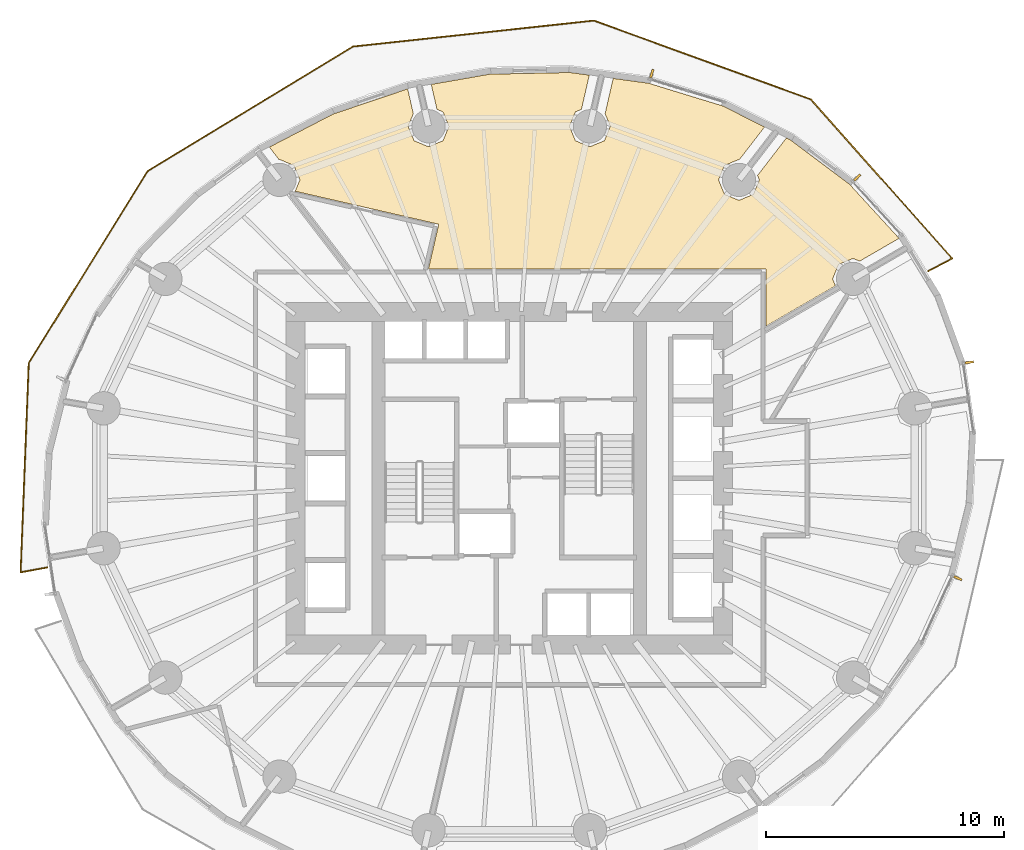
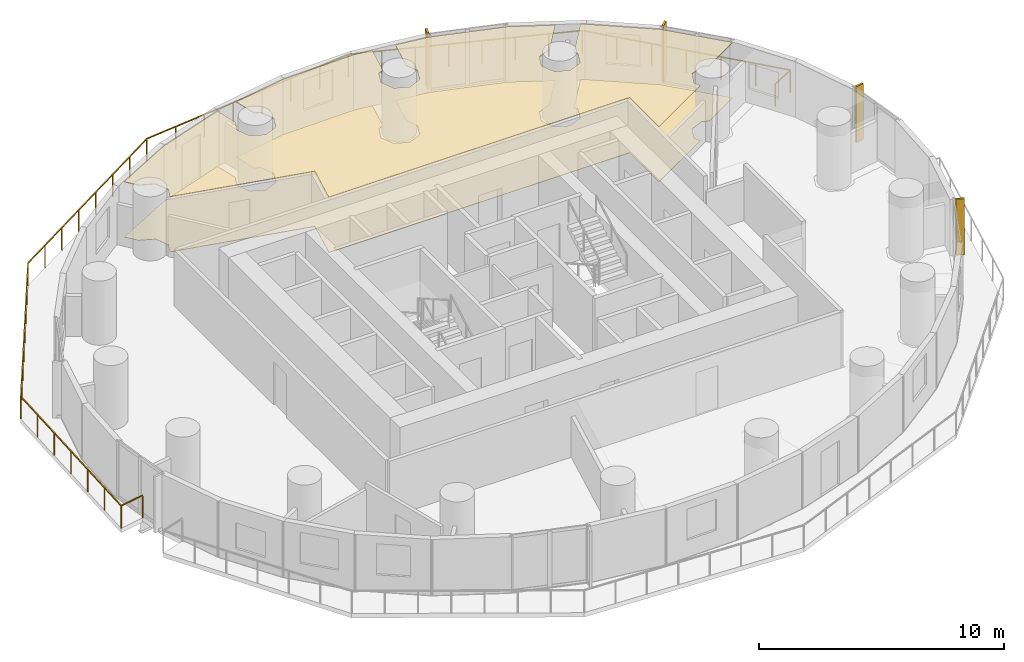
# One storey, part 13 of 13: 4 shading devices, 2 coverings, 1 railing.
"""IFC4 building model written with IfcOpenShell, lengths in metres."""

from ifc_helpers import new_model, si_unit, direction, frame, origin, origin_2d, place, context, subcontext, project, spatial, polyline, rectangle, outline, extrude, material, layer, layer_set, type_object, element, save


model = new_model("IFC4")

# Units and contexts
model_context = context("Model", 3, precision=1e-05, world=origin(), true_north=direction((0.0, 1.0)))
body_context = subcontext(model_context, "Body", "Model", "MODEL_VIEW")
ifc_project = project(units=[si_unit("LENGTHUNIT", "METRE"), si_unit("AREAUNIT", "SQUARE_METRE"), si_unit("VOLUMEUNIT", "CUBIC_METRE"), si_unit("PLANEANGLEUNIT", "RADIAN"), si_unit("MASSUNIT", "GRAM", prefix="KILO")], contexts=[model_context])

# Site, building, storey
site_placement = place(None, origin())
site = spatial("IfcSite", under=ifc_project, at=site_placement, CompositionType="ELEMENT")
building_placement = place(site_placement, origin())
building = spatial("IfcBuilding", under=site, at=building_placement, Name="Veldorim Arch Residences", CompositionType="ELEMENT")
storey_placement = place(building_placement, frame((0.0, 0.0, 63.199951171875)))
storey = spatial("IfcBuildingStorey", under=building, at=storey_placement, Name="L18", CompositionType="ELEMENT", Elevation=63.199951171875)

# Railing
ifc_material_1 = material(Name="Aluminium", Category="aluminium")
railing_type = type_object("IfcRailingType", Name="Balcony & Terrace Laminated Glass Balustrade 1150", PredefinedType="BALUSTRADE", material=ifc_material_1)
railing_placement = place(storey_placement, frame((49.627197265625, 32.710693359375, 0.0)))
element("IfcRailing", 1, at=railing_placement, inside=storey, type_object=railing_type, Name="L18 crescent balcony safety balustrade A", PredefinedType="BALUSTRADE", context=body_context, shape_type="SweptSolid", body=[
    extrude(rectangle(XDim=0.048095703125, YDim=0.048095703125, at=origin_2d()), frame((0.0, 0.0, 1.1259765625), z_axis=(0.882535057187, 0.470246608532, 0.0), x_axis=(-0.470246608532, 0.882535057187, 0.0)), (0.0, 0.0, 1.0), 1.14990234375),
    extrude(rectangle(XDim=0.048095703125, YDim=0.048095703125, at=origin_2d()), frame((1.014892578125, 0.540771484375, 1.1259765625), z_axis=(-0.664674991749, 0.747132622326, 0.0), x_axis=(-0.747132622326, -0.664674991749, 0.0)), (0.0, 0.0, 1.0), 8.95947265625),
    extrude(rectangle(XDim=0.048095703125, YDim=0.048095703125, at=origin_2d()), frame((-4.940185546875, 7.234619140625, 1.1259765625), z_axis=(-0.939918921512, 0.341397746014, 0.0), x_axis=(-0.341397746014, -0.939918921512, 0.0)), (0.0, 0.0, 1.0), 9.707763671875),
    extrude(rectangle(XDim=0.048095703125, YDim=0.048095703125, at=origin_2d()), frame((-14.064697265625, 10.548828125, 1.1259765625), z_axis=(-0.994246394541, -0.107117257909, 0.0), x_axis=(0.107117257909, -0.994246394541, 0.0)), (0.0, 0.0, 1.0), 10.197021484375),
    extrude(rectangle(XDim=0.048095703125, YDim=0.048095703125, at=origin_2d()), frame((-24.203125, 9.45654296875, 1.1259765625), z_axis=(-0.854818901019, -0.518926436464, 0.0), x_axis=(0.518926436464, -0.854818901019, 0.0)), (0.0, 0.0, 1.0), 10.105224609375),
    extrude(rectangle(XDim=0.048095703125, YDim=0.048095703125, at=origin_2d()), frame((-32.84130859375, 4.212646484375, 1.1259765625), z_axis=(-0.526835729624, -0.849967125242, 0.0), x_axis=(0.849967125242, -0.526835729624, 0.0)), (0.0, 0.0, 1.0), 9.501708984375),
    extrude(rectangle(XDim=0.048095703125, YDim=0.048095703125, at=origin_2d()), frame((-37.84716796875, -3.863525390625, 1.1259765625), z_axis=(-0.038727820565, -0.999249796555, 0.0), x_axis=(0.999249796555, -0.038727820565, 0.0)), (0.0, 0.0, 1.0), 8.81298828125),
    extrude(rectangle(XDim=0.048095703125, YDim=0.048095703125, at=origin_2d()), frame((-38.1884765625, -12.669921875, 1.1259765625), z_axis=(0.983507885163, 0.180865253218, 0.0), x_axis=(-0.180865253218, 0.983507885163, 0.0)), (0.0, 0.0, 1.0), 1.150146484375),
    extrude(rectangle(XDim=0.0419921875, YDim=0.0419921875, at=origin_2d()), origin(), (0.0, 0.0, 1.0), 1.101806640625),
    extrude(rectangle(XDim=0.0419921875, YDim=0.0419921875, at=origin_2d()), frame((1.014892578125, 0.540771484375, 0.0)), (0.0, 0.0, 1.0), 1.101806640625),
    extrude(rectangle(XDim=0.0419921875, YDim=0.0419921875, at=origin_2d()), frame((0.0224609375, 1.656494140625, 0.0)), (0.0, 0.0, 1.0), 1.101806640625),
    extrude(rectangle(XDim=0.0419921875, YDim=0.0419921875, at=origin_2d()), frame((-0.97021484375, 2.77197265625, 0.0)), (0.0, 0.0, 1.0), 1.101806640625),
    extrude(rectangle(XDim=0.0419921875, YDim=0.0419921875, at=origin_2d()), frame((-1.962646484375, 3.8876953125, 0.0)), (0.0, 0.0, 1.0), 1.101806640625),
    extrude(rectangle(XDim=0.0419921875, YDim=0.0419921875, at=origin_2d()), frame((-2.955078125, 5.00341796875, 0.0)), (0.0, 0.0, 1.0), 1.101806640625),
    extrude(rectangle(XDim=0.0419921875, YDim=0.0419921875, at=origin_2d()), frame((-3.94775390625, 6.118896484375, 0.0)), (0.0, 0.0, 1.0), 1.101806640625),
    extrude(rectangle(XDim=0.0419921875, YDim=0.0419921875, at=origin_2d()), frame((-4.940185546875, 7.234619140625, 0.0)), (0.0, 0.0, 1.0), 1.101806640625),
    extrude(rectangle(XDim=0.0419921875, YDim=0.0419921875, at=origin_2d()), frame((-6.24365234375, 7.7080078125, 0.0)), (0.0, 0.0, 1.0), 1.101806640625),
    extrude(rectangle(XDim=0.0419921875, YDim=0.0419921875, at=origin_2d()), frame((-7.547119140625, 8.181640625, 0.0)), (0.0, 0.0, 1.0), 1.101806640625),
    extrude(rectangle(XDim=0.0419921875, YDim=0.0419921875, at=origin_2d()), frame((-8.8505859375, 8.655029296875, 0.0)), (0.0, 0.0, 1.0), 1.101806640625),
    extrude(rectangle(XDim=0.0419921875, YDim=0.0419921875, at=origin_2d()), frame((-10.154296875, 9.12841796875, 0.0)), (0.0, 0.0, 1.0), 1.101806640625),
    extrude(rectangle(XDim=0.0419921875, YDim=0.0419921875, at=origin_2d()), frame((-11.457763671875, 9.601806640625, 0.0)), (0.0, 0.0, 1.0), 1.101806640625),
    extrude(rectangle(XDim=0.0419921875, YDim=0.0419921875, at=origin_2d()), frame((-12.76123046875, 10.075439453125, 0.0)), (0.0, 0.0, 1.0), 1.101806640625),
    extrude(rectangle(XDim=0.0419921875, YDim=0.0419921875, at=origin_2d()), frame((-14.064697265625, 10.548828125, 0.0)), (0.0, 0.0, 1.0), 1.101806640625),
    extrude(rectangle(XDim=0.0419921875, YDim=0.0419921875, at=origin_2d()), frame((-15.512939453125, 10.392822265625, 0.0)), (0.0, 0.0, 1.0), 1.101806640625),
    extrude(rectangle(XDim=0.0419921875, YDim=0.0419921875, at=origin_2d()), frame((-16.96142578125, 10.23681640625, 0.0)), (0.0, 0.0, 1.0), 1.101806640625),
    extrude(rectangle(XDim=0.0419921875, YDim=0.0419921875, at=origin_2d()), frame((-18.40966796875, 10.080810546875, 0.0)), (0.0, 0.0, 1.0), 1.101806640625),
    extrude(rectangle(XDim=0.0419921875, YDim=0.0419921875, at=origin_2d()), frame((-19.858154296875, 9.924560546875, 0.0)), (0.0, 0.0, 1.0), 1.101806640625),
    extrude(rectangle(XDim=0.0419921875, YDim=0.0419921875, at=origin_2d()), frame((-21.306396484375, 9.7685546875, 0.0)), (0.0, 0.0, 1.0), 1.101806640625),
    extrude(rectangle(XDim=0.0419921875, YDim=0.0419921875, at=origin_2d()), frame((-22.7548828125, 9.612548828125, 0.0)), (0.0, 0.0, 1.0), 1.101806640625),
    extrude(rectangle(XDim=0.0419921875, YDim=0.0419921875, at=origin_2d()), frame((-24.203125, 9.45654296875, 0.0)), (0.0, 0.0, 1.0), 1.101806640625),
    extrude(rectangle(XDim=0.0419921875, YDim=0.0419921875, at=origin_2d()), frame((-25.437255859375, 8.70751953125, 0.0)), (0.0, 0.0, 1.0), 1.101806640625),
    extrude(rectangle(XDim=0.0419921875, YDim=0.0419921875, at=origin_2d()), frame((-26.671142578125, 7.958251953125, 0.0)), (0.0, 0.0, 1.0), 1.101806640625),
    extrude(rectangle(XDim=0.0419921875, YDim=0.0419921875, at=origin_2d()), frame((-27.9052734375, 7.209228515625, 0.0)), (0.0, 0.0, 1.0), 1.101806640625),
    extrude(rectangle(XDim=0.0419921875, YDim=0.0419921875, at=origin_2d()), frame((-29.13916015625, 6.4599609375, 0.0)), (0.0, 0.0, 1.0), 1.101806640625),
    extrude(rectangle(XDim=0.0419921875, YDim=0.0419921875, at=origin_2d()), frame((-30.373291015625, 5.7109375, 0.0)), (0.0, 0.0, 1.0), 1.101806640625),
    extrude(rectangle(XDim=0.0419921875, YDim=0.0419921875, at=origin_2d()), frame((-31.607177734375, 4.961669921875, 0.0)), (0.0, 0.0, 1.0), 1.101806640625),
    extrude(rectangle(XDim=0.0419921875, YDim=0.0419921875, at=origin_2d()), frame((-32.84130859375, 4.212646484375, 0.0)), (0.0, 0.0, 1.0), 1.101806640625),
    extrude(rectangle(XDim=0.0419921875, YDim=0.0419921875, at=origin_2d()), frame((-33.556396484375, 3.058837890625, 0.0)), (0.0, 0.0, 1.0), 1.101806640625),
    extrude(rectangle(XDim=0.0419921875, YDim=0.0419921875, at=origin_2d()), frame((-34.271484375, 1.9052734375, 0.0)), (0.0, 0.0, 1.0), 1.101806640625),
    extrude(rectangle(XDim=0.0419921875, YDim=0.0419921875, at=origin_2d()), frame((-34.986572265625, 0.75146484375, 0.0)), (0.0, 0.0, 1.0), 1.101806640625),
    extrude(rectangle(XDim=0.0419921875, YDim=0.0419921875, at=origin_2d()), frame((-35.701904296875, -0.40234375, 0.0)), (0.0, 0.0, 1.0), 1.101806640625),
    extrude(rectangle(XDim=0.0419921875, YDim=0.0419921875, at=origin_2d()), frame((-36.4169921875, -1.55615234375, 0.0)), (0.0, 0.0, 1.0), 1.101806640625),
    extrude(rectangle(XDim=0.0419921875, YDim=0.0419921875, at=origin_2d()), frame((-37.132080078125, -2.709716796875, 0.0)), (0.0, 0.0, 1.0), 1.101806640625),
    extrude(rectangle(XDim=0.0419921875, YDim=0.0419921875, at=origin_2d()), frame((-37.84716796875, -3.863525390625, 0.0)), (0.0, 0.0, 1.0), 1.101806640625),
    extrude(rectangle(XDim=0.0419921875, YDim=0.0419921875, at=origin_2d()), frame((-37.904052734375, -5.331298828125, 0.0)), (0.0, 0.0, 1.0), 1.101806640625),
    extrude(rectangle(XDim=0.0419921875, YDim=0.0419921875, at=origin_2d()), frame((-37.9609375, -6.799072265625, 0.0)), (0.0, 0.0, 1.0), 1.101806640625),
    extrude(rectangle(XDim=0.0419921875, YDim=0.0419921875, at=origin_2d()), frame((-38.017822265625, -8.2666015625, 0.0)), (0.0, 0.0, 1.0), 1.101806640625),
    extrude(rectangle(XDim=0.0419921875, YDim=0.0419921875, at=origin_2d()), frame((-38.07470703125, -9.734375, 0.0)), (0.0, 0.0, 1.0), 1.101806640625),
    extrude(rectangle(XDim=0.0419921875, YDim=0.0419921875, at=origin_2d()), frame((-38.131591796875, -11.2021484375, 0.0)), (0.0, 0.0, 1.0), 1.101806640625),
    extrude(rectangle(XDim=0.0419921875, YDim=0.0419921875, at=origin_2d()), frame((-38.1884765625, -12.669921875, 0.0)), (0.0, 0.0, 1.0), 1.101806640625),
    extrude(rectangle(XDim=0.0419921875, YDim=0.0419921875, at=origin_2d()), frame((-37.057373046875, -12.4619140625, 0.0)), (0.0, 0.0, 1.0), 1.101806640625),
])

# Coverings
ifc_material_2 = material(Name="Acoustic Gypsum & Mineral Fibre", Category="gypsum")
ifc_layer_1 = layer(ifc_material_2, 0.034912109375, Name="Perforated Acoustic Mineral-Fibre Ceiling 35")
ifc_layer_set_1 = layer_set([ifc_layer_1], Name="Acoustic Gypsum & Mineral Fibre")
covering_type_1 = type_object("IfcCoveringType", Name="Perforated Acoustic Mineral-Fibre Ceiling 35", PredefinedType="CEILING", material=ifc_layer_set_1)
covering_1_placement = place(storey_placement, frame((0.0, 0.0, 2.7451171875)))
element("IfcCovering", 2, at=covering_1_placement, inside=storey, type_object=covering_type_1, Name="L18 acoustic suspended ceiling 02", PredefinedType="CEILING", context=body_context, shape_type="SweptSolid", body=[
    extrude(outline(polyline([(21.906982421875, 37.9365234375), (24.591796875, 39.3271484375), (27.7265625, 40.3837890625), (27.965576171875, 39.341064453125), (27.74560546875, 38.809814453125), (27.997314453125, 38.201904296875), (28.60546875, 37.949951171875), (29.21337890625, 38.201904296875), (29.46533203125, 38.809814453125), (29.21337890625, 39.41796875), (28.960205078125, 39.52294921875), (28.71923828125, 40.572998046875), (31.17919921875, 41.00390625), (34.56103515625, 41.0732421875), (35.3701171875, 40.962890625), (35.039794921875, 39.52294921875), (34.78662109375, 39.41796875), (34.53466796875, 38.809814453125), (34.78662109375, 38.201904296875), (35.39453125, 37.949951171875), (36.002685546875, 38.201904296875), (36.25439453125, 38.809814453125), (36.034423828125, 39.341064453125), (36.374755859375, 40.82568359375), (37.864013671875, 40.62255859375), (40.98681640625, 39.666015625), (42.744140625, 38.781982421875), (41.685546875, 37.4072265625), (41.6669921875, 37.4150390625), (41.058837890625, 37.1630859375), (40.806884765625, 36.55517578125), (41.058837890625, 35.947265625), (41.6669921875, 35.6953125), (42.27490234375, 35.947265625), (42.52685546875, 36.55517578125), (42.448974609375, 36.7431640625), (43.6630859375, 38.320068359375), (43.83447265625, 38.233642578125), (46.32080078125, 36.370361328125), (48.371337890625, 34.13330078125), (48.396728515625, 34.091552734375), (46.745361328125, 33.1337890625), (46.467529296875, 33.2490234375), (45.859619140625, 32.9970703125), (45.607666015625, 32.38916015625), (45.727783203125, 32.098876953125), (42.800048828125, 30.401123046875), (42.800048828125, 32.800048828125), (28.60009765625, 32.800048828125), (29.0341796875, 34.688232421875), (22.994873046875, 36.07666015625), (23.193115234375, 36.55517578125), (22.941162109375, 37.1630859375), (22.3330078125, 37.4150390625), (22.314453125, 37.4072265625), (21.906982421875, 37.9365234375)])), origin(), (0.0, 0.0, 1.0), 0.034912109375),
])
ifc_material_3 = material(Name="Porcelain Ceramic Tile", Category="ceramic")
ifc_layer_2 = layer(ifc_material_3, 0.02001953125, Name="Slip-Resistant Porcelain & Vinyl Floor Finish 20")
ifc_layer_set_2 = layer_set([ifc_layer_2], Name="Porcelain Ceramic Tile")
covering_type_2 = type_object("IfcCoveringType", Name="Slip-Resistant Porcelain & Vinyl Floor Finish 20", PredefinedType="FLOORING", material=ifc_layer_set_2)
covering_2_placement = place(storey_placement, origin())
element("IfcCovering", 3, at=covering_2_placement, inside=storey, type_object=covering_type_2, Name="L18 porcelain floor finish 02", PredefinedType="FLOORING", context=body_context, shape_type="SweptSolid", body=[
    extrude(outline(polyline([(21.906982421875, 37.9365234375), (24.591796875, 39.3271484375), (27.7265625, 40.3837890625), (27.965576171875, 39.341064453125), (27.74560546875, 38.809814453125), (27.997314453125, 38.201904296875), (28.60546875, 37.949951171875), (29.21337890625, 38.201904296875), (29.46533203125, 38.809814453125), (29.21337890625, 39.41796875), (28.960205078125, 39.52294921875), (28.71923828125, 40.572998046875), (31.17919921875, 41.00390625), (34.56103515625, 41.0732421875), (35.3701171875, 40.962890625), (35.039794921875, 39.52294921875), (34.78662109375, 39.41796875), (34.53466796875, 38.809814453125), (34.78662109375, 38.201904296875), (35.39453125, 37.949951171875), (36.002685546875, 38.201904296875), (36.25439453125, 38.809814453125), (36.034423828125, 39.341064453125), (36.374755859375, 40.82568359375), (37.864013671875, 40.62255859375), (40.98681640625, 39.666015625), (42.744140625, 38.781982421875), (41.685546875, 37.4072265625), (41.6669921875, 37.4150390625), (41.058837890625, 37.1630859375), (40.806884765625, 36.55517578125), (41.058837890625, 35.947265625), (41.6669921875, 35.6953125), (42.27490234375, 35.947265625), (42.52685546875, 36.55517578125), (42.448974609375, 36.7431640625), (43.6630859375, 38.320068359375), (43.83447265625, 38.233642578125), (46.32080078125, 36.370361328125), (48.371337890625, 34.13330078125), (48.396728515625, 34.091552734375), (46.745361328125, 33.1337890625), (46.467529296875, 33.2490234375), (45.859619140625, 32.9970703125), (45.607666015625, 32.38916015625), (45.727783203125, 32.098876953125), (42.800048828125, 30.401123046875), (42.800048828125, 32.800048828125), (28.60009765625, 32.800048828125), (29.0341796875, 34.688232421875), (22.994873046875, 36.07666015625), (23.193115234375, 36.55517578125), (22.941162109375, 37.1630859375), (22.3330078125, 37.4150390625), (22.314453125, 37.4072265625), (21.906982421875, 37.9365234375)])), origin(), (0.0, 0.0, 1.0), 0.02001953125),
])

# Shading devices
ifc_material_4 = material(Name="Terracotta Ceramic", Category="masonry")
ifc_layer_3 = layer(ifc_material_4, 0.090087890625, Name="Vertical Extruded Terracotta Baguette Sun-Shading Fin")
ifc_layer_set_3 = layer_set([ifc_layer_3], Name="Terracotta Ceramic")
shading_device_type = type_object("IfcShadingDeviceType", Name="Vertical Extruded Terracotta Baguette Sun-Shading Fin", PredefinedType="USERDEFINED", material=ifc_layer_set_3)
for number, where, z_axis, x_axis, name in (
    (4, (46.6455078125, 36.656494140625, 0.0), (0.0, 0.0, 1.0), (0.675718876495, -0.737159412846, 0.0), "L18 vertical terracotta sun-shading fin 03"),
    (5, (38.00146484375, 41.03271484375, 0.0), (0.0, 0.0, 1.0), (0.956151539415, -0.292872384621, 0.0), "L18 vertical terracotta sun-shading fin 06"),
    (6, (50.882080078125, 19.7939453125, 0.0), (0.0, 0.0, 1.0), (-0.416122094283, -0.909308749903, 0.0), "L18 vertical terracotta sun-shading fin 33"),
    (7, (51.363525390625, 28.87744140625, 0.0), (0.0, 0.0, 1.0), (0.14832723834, -0.988938334967, 0.0), "L18 vertical terracotta sun-shading fin 36"),
):
    element("IfcShadingDevice", number, at=place(storey_placement, frame(where, z_axis=z_axis, x_axis=x_axis)), inside=storey, type_object=shading_device_type, Name=name, ObjectType="FIN", PredefinedType="USERDEFINED", context=body_context, shape_type="SweptSolid", body=[
        extrude(rectangle(XDim=0.090087890625, YDim=0.360107421875, at=origin_2d()), origin(), (0.0, 0.0, 1.0), 2.800048828125),
    ])

save(model, "model.ifc")
